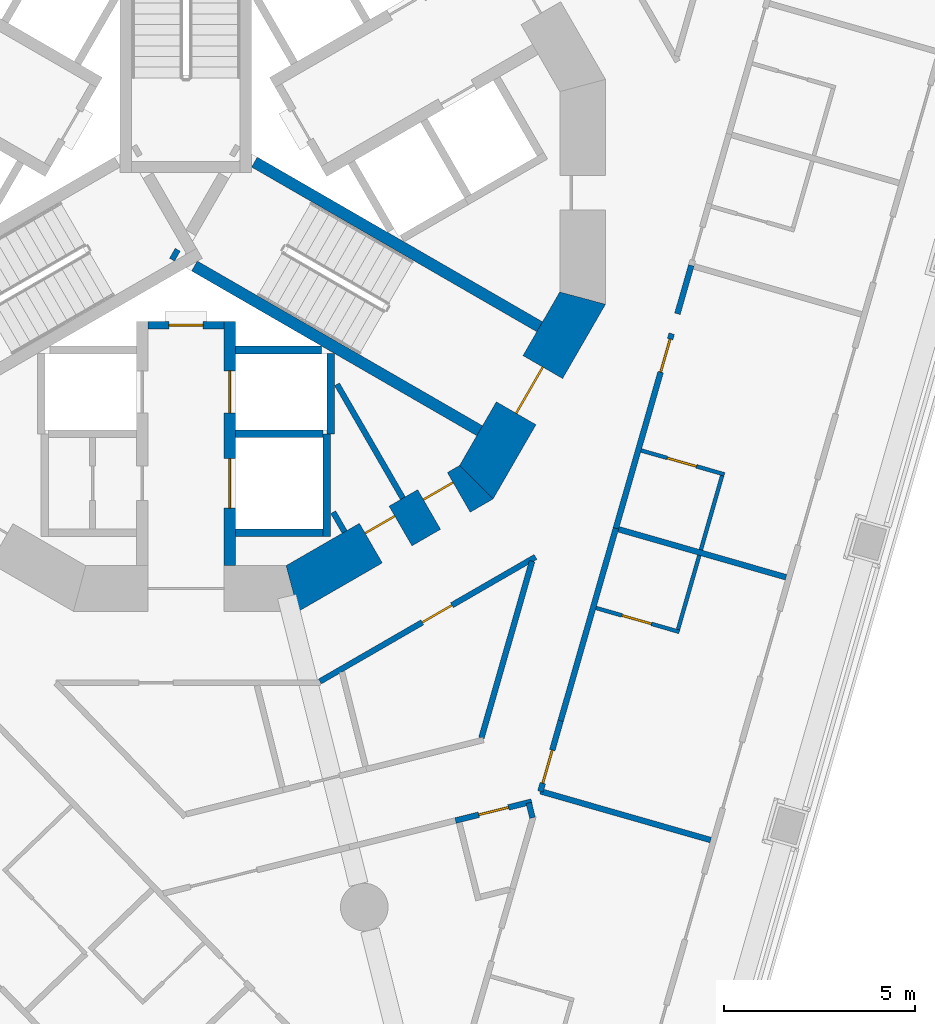
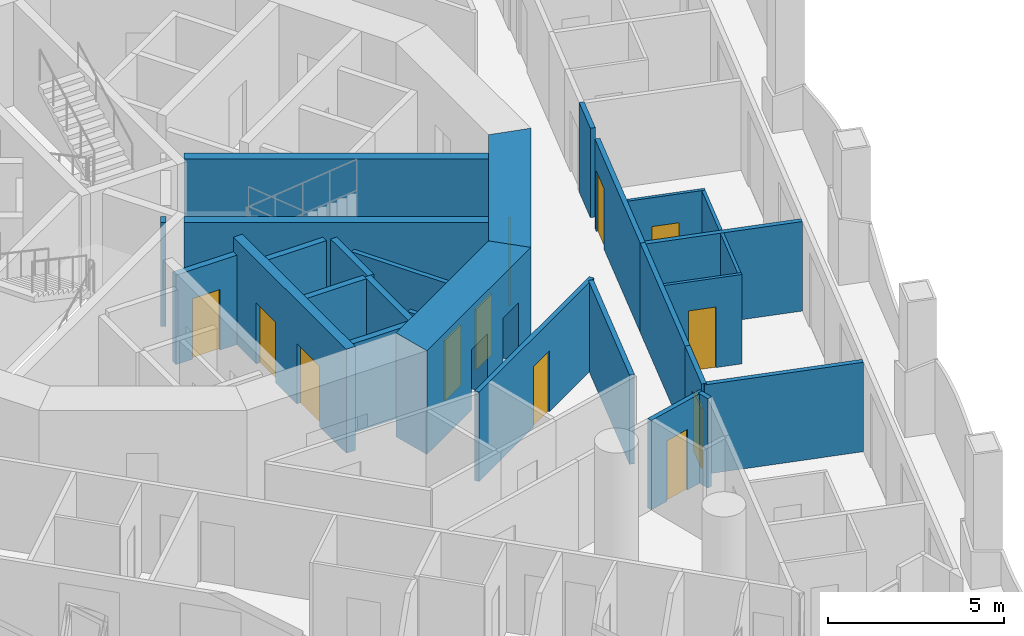
# One storey, part 5 of 20: 28 walls, 12 doors, 12 openings.
"""IFC4 building model written with IfcOpenShell, lengths in metres."""

from ifc_helpers import new_model, si_unit, direction, frame, frame_2d, origin, place, context, subcontext, project, spatial, polyline, rectangle, outline, extrude, material, layer, layer_set, type_object, element, fill, save


model = new_model("IFC4")

# Units and contexts
model_context = context("Model", 3, precision=1e-05, world=origin(), true_north=direction((0.0, 1.0)))
body_context = subcontext(model_context, "Body", "Model", "MODEL_VIEW")
ifc_project = project(units=[si_unit("LENGTHUNIT", "METRE"), si_unit("AREAUNIT", "SQUARE_METRE"), si_unit("VOLUMEUNIT", "CUBIC_METRE"), si_unit("PLANEANGLEUNIT", "RADIAN"), si_unit("MASSUNIT", "GRAM", prefix="KILO")], contexts=[model_context])

# Site, building, storey
site_placement = place(None, origin())
site = spatial("IfcSite", under=ifc_project, at=site_placement, CompositionType="ELEMENT")
building_placement = place(site_placement, origin())
building = spatial("IfcBuilding", under=site, at=building_placement, Name="Trine Commons Tower", CompositionType="ELEMENT")
storey_placement = place(building_placement, frame((0.0, 0.0, 116.10009765625)))
storey = spatial("IfcBuildingStorey", under=building, at=storey_placement, Name="L29", CompositionType="ELEMENT", Elevation=116.10009765625)

# Walls
ifc_material_1 = material(Name="Plasterboard partition on steel studs", Category="steel")
ifc_layer_1 = layer(ifc_material_1, 0.14990234375)
ifc_layer_set_1 = layer_set([ifc_layer_1], Name="Plasterboard partition on steel studs")
wall_type_1 = type_object("IfcWallType", Name="Core room partition 150 mm, EI 60", PredefinedType="PARTITIONING", material=ifc_layer_set_1)
wall_1_placement = place(storey_placement, frame((84.1640625, 53.574951171875, 0.0), z_axis=(0.0, 0.0, 1.0), x_axis=(-0.500665675203, 0.865640734759, 0.0)))
element("IfcWall", 1, at=wall_1_placement, inside=storey, type_object=wall_type_1, Name="Core room partition L29", PredefinedType="PARTITIONING", context=body_context, shape_type="SweptSolid", body=[
    extrude(rectangle(XDim=0.597412109375, YDim=0.14990234375, at=frame_2d((0.298828125, 0.0))), origin(), (0.0, 0.0, 1.0), 3.099853515625),
])
wall_2_placement = place(storey_placement, frame((85.693115234375, 54.4580078125, 0.0), z_axis=(0.0, 0.0, 1.0), x_axis=(-0.500258757272, 0.865875958653, 0.0)))
element("IfcWall", 2, at=wall_2_placement, inside=storey, type_object=wall_type_1, Name="Core room partition L29", PredefinedType="PARTITIONING", context=body_context, shape_type="SweptSolid", body=[
    extrude(rectangle(XDim=3.454345703125, YDim=0.14990234375, at=frame_2d((1.72705078125, 0.0))), origin(), (0.0, 0.0, 1.0), 3.099853515625),
])

# Wall, opening, door
ifc_material_2 = material(Name="Fire-rated gypsum shaft wall system")
ifc_layer_2 = layer(ifc_material_2, 0.199951171875)
ifc_layer_set_2 = layer_set([ifc_layer_2], Name="Fire-rated gypsum shaft wall system")
wall_type_2 = type_object("IfcWallType", Name="Lobby end wall 200 mm, EI 120", PredefinedType="PARTITIONING", material=ifc_layer_set_2)
wall_3_placement = place(storey_placement, frame((79.0, 59.0, 0.0), z_axis=(0.0, 0.0, 1.0), x_axis=(1.0, 0.0, 0.0)))
wall_3 = element("IfcWall", 3, at=wall_3_placement, inside=storey, type_object=wall_type_2, Name="Lobby end wall L29", PredefinedType="PARTITIONING", context=body_context, shape_type="SweptSolid", body=[
    extrude(rectangle(XDim=2.0, YDim=0.199951171875, at=frame_2d((1.0, 0.0))), origin(), (0.0, 0.0, 1.0), 3.099853515625),
])
opening_1_placement = place(wall_3_placement, frame((0.550048828125, 0.0, 0.0)))
opening_1 = element("IfcOpeningElement", 4, at=opening_1_placement, cuts=wall_3, Name="Opening K04.09", PredefinedType="OPENING", context=body_context, shape_type="SweptSolid", body=[
    extrude(rectangle(XDim=0.89990234375, YDim=2.10009765625, at=frame_2d((0.449951171875, 1.050048828125))), frame((0.0, 0.10986328125, 0.0), z_axis=(0.0, -1.0, 0.0), x_axis=(1.0, 0.0, 0.0)), (0.0, 0.0, 1.0), 0.219970703125),
])
ifc_material_3 = material(Name="Steel door leaf, fire-rated", Category="steel")
door_type_1 = type_object("IfcDoorType", Name="Riser access door, single leaf 900 x 2100, FD60", OperationType="SINGLE_SWING_LEFT", PredefinedType="DOOR", material=ifc_material_3)
door_1_placement = place(opening_1_placement, frame((0.89990234375, 0.0, 0.0), z_axis=(0.0, 0.0, 1.0), x_axis=(-1.0, 0.0, 0.0)))
door_1 = element("IfcDoor", 5, at=door_1_placement, inside=storey, type_object=door_type_1, Name="Riser door, Communications riser L29", OperationType="SINGLE_SWING_RIGHT", OverallHeight=2.10009765625, OverallWidth=0.89990234375, PredefinedType="DOOR", context=body_context, shape_type="SweptSolid", body=[
    extrude(rectangle(XDim=0.89990234375, YDim=2.10009765625, at=frame_2d((0.449951171875, 1.050048828125))), frame((0.0, 0.02490234375, 0.0), z_axis=(0.0, -1.0, 0.0), x_axis=(1.0, 0.0, 0.0)), (0.0, 0.0, 1.0), 0.050048828125),
])
fill(opening_1, door_1)

# Wall, openings, doors
ifc_material_4 = material(Name="Concrete C70/85", Category="concrete")
ifc_layer_3 = layer(ifc_material_4, 1.199951171875)
ifc_layer_set_3 = layer_set([ifc_layer_3], Name="Concrete C70/85")
wall_type_3 = type_object("IfcWallType", Name="RC shear wall 1200 mm, C70/85", PredefinedType="SHEAR", material=ifc_layer_set_3)
wall_4_placement = place(storey_placement, frame((82.650390625, 52.008056640625, 0.0), z_axis=(0.0, 0.0, 1.0), x_axis=(0.866037463336, 0.499979111662, 0.0)))
wall_4 = element("IfcWall", 6, at=wall_4_placement, inside=storey, type_object=wall_type_3, Name="Core wall CWC-11 L29", PredefinedType="SHEAR", context=body_context, shape_type="SweptSolid", body=[
    extrude(outline(polyline([(0.0, -0.60009765625), (5.901123046875, -0.60009765625), (5.57958984375, 0.60009765625), (0.321533203125, 0.60009765625), (0.0, -0.60009765625)])), origin(), (0.0, 0.0, 1.0), 3.599853515625),
])
opening_2_placement = place(wall_4_placement, frame((2.543701171875, 0.0, 0.0)))
opening_2 = element("IfcOpeningElement", 7, at=opening_2_placement, cuts=wall_4, Name="Opening K04.16", PredefinedType="OPENING", context=body_context, shape_type="SweptSolid", body=[
    extrude(rectangle(XDim=0.89990234375, YDim=2.10009765625, at=frame_2d((0.449951171875, 1.050048828125))), frame((0.0, 0.60986328125, 0.0), z_axis=(0.0, -1.0, 0.0), x_axis=(1.0, 0.0, 0.0)), (0.0, 0.0, 1.0), 1.219970703125),
])
opening_3_placement = place(wall_4_placement, frame((4.308837890625, 0.0, 0.0)))
opening_3 = element("IfcOpeningElement", 8, at=opening_3_placement, cuts=wall_4, Name="Opening K04.17", PredefinedType="OPENING", context=body_context, shape_type="SweptSolid", body=[
    extrude(rectangle(XDim=0.89990234375, YDim=2.10009765625, at=frame_2d((0.449951171875, 1.050048828125))), frame((0.0, 0.60986328125, 0.0), z_axis=(0.0, -1.0, 0.0), x_axis=(1.0, 0.0, 0.0)), (0.0, 0.0, 1.0), 1.219970703125),
])
door_type_2 = type_object("IfcDoorType", Name="Core room door, single leaf 900 x 2100, FD30S", OperationType="SINGLE_SWING_LEFT", PredefinedType="DOOR", material=ifc_material_3)
door_2_placement = place(opening_2_placement, origin())
door_2 = element("IfcDoor", 9, at=door_2_placement, inside=storey, type_object=door_type_2, Name="Door to Linen store L29", OperationType="SINGLE_SWING_RIGHT", OverallHeight=2.10009765625, OverallWidth=0.89990234375, PredefinedType="DOOR", context=body_context, shape_type="SweptSolid", body=[
    extrude(rectangle(XDim=0.89990234375, YDim=2.10009765625, at=frame_2d((0.449951171875, 1.050048828125))), frame((0.0, 0.3251953125, 0.0), z_axis=(0.0, -1.0, 0.0), x_axis=(1.0, 0.0, 0.0)), (0.0, 0.0, 1.0), 0.050048828125),
])
fill(opening_2, door_2)
door_3_placement = place(opening_3_placement, origin())
door_3 = element("IfcDoor", 10, at=door_3_placement, inside=storey, type_object=door_type_2, Name="Door to Pantry L29", OperationType="SINGLE_SWING_RIGHT", OverallHeight=2.10009765625, OverallWidth=0.89990234375, PredefinedType="DOOR", context=body_context, shape_type="SweptSolid", body=[
    extrude(rectangle(XDim=0.89990234375, YDim=2.10009765625, at=frame_2d((0.449951171875, 1.050048828125))), frame((0.0, 0.3251953125, 0.0), z_axis=(0.0, -1.0, 0.0), x_axis=(1.0, 0.0, 0.0)), (0.0, 0.0, 1.0), 0.050048828125),
])
fill(opening_3, door_3)

# Wall, opening, door
wall_5_placement = place(storey_placement, frame((87.54150390625, 54.739013671875, 0.0), z_axis=(0.0, 0.0, 1.0), x_axis=(0.499979111662, 0.866037463336, 0.0)))
wall_5 = element("IfcWall", 11, at=wall_5_placement, inside=storey, type_object=wall_type_3, Name="Core wall CWC-12 L29", PredefinedType="SHEAR", context=body_context, shape_type="SweptSolid", body=[
    extrude(outline(polyline([(0.0, -0.60009765625), (5.901123046875, -0.60009765625), (5.57958984375, 0.60009765625), (0.321533203125, 0.60009765625), (0.0, -0.60009765625)])), origin(), (0.0, 0.0, 1.0), 3.599853515625),
])
opening_4_placement = place(wall_5_placement, frame((2.25048828125, 0.0, 0.0)))
opening_4 = element("IfcOpeningElement", 12, at=opening_4_placement, cuts=wall_5, Name="Opening K04.03", PredefinedType="OPENING", context=body_context, shape_type="SweptSolid", body=[
    extrude(rectangle(XDim=1.39990234375, YDim=2.10009765625, at=frame_2d((0.699951171875, 1.050048828125))), frame((0.0, 0.60986328125, 0.0), z_axis=(0.0, -1.0, 0.0), x_axis=(1.0, 0.0, 0.0)), (0.0, 0.0, 1.0), 1.219970703125),
])
ifc_material_5 = material(Name="Steel door leaves, fire-rated", Category="steel")
door_type_3 = type_object("IfcDoorType", Name="Stair door, double leaf 1400 x 2100, FD90", OperationType="DOUBLE_DOOR_SINGLE_SWING", PredefinedType="DOOR", material=ifc_material_5)
door_4_placement = place(opening_4_placement, origin())
door_4 = element("IfcDoor", 13, at=door_4_placement, inside=storey, type_object=door_type_3, Name="Stair door to Exit stair ST3A L29", OperationType="DOUBLE_DOOR_SINGLE_SWING", OverallHeight=2.10009765625, OverallWidth=1.39990234375, PredefinedType="DOOR", context=body_context, shape_type="SweptSolid", body=[
    extrude(rectangle(XDim=1.39990234375, YDim=2.10009765625, at=frame_2d((0.699951171875, 1.050048828125))), frame((0.0, 0.02490234375, 0.0), z_axis=(0.0, -1.0, 0.0), x_axis=(1.0, 0.0, 0.0)), (0.0, 0.0, 1.0), 0.050048828125),
])
fill(opening_4, door_4)

# Wall, openings, doors
ifc_layer_4 = layer(ifc_material_4, 0.300048828125)
ifc_layer_set_4 = layer_set([ifc_layer_4], Name="Concrete C70/85")
wall_type_4 = type_object("IfcWallType", Name="RC shear wall 300 mm, C70/85", PredefinedType="SHEAR", material=ifc_layer_set_4)
wall_6_placement = place(storey_placement, frame((81.14990234375, 59.10009765625, 0.0), z_axis=(0.0, 0.0, 1.0), x_axis=(0.0, -1.0, 0.0)))
wall_6 = element("IfcWall", 14, at=wall_6_placement, inside=storey, type_object=wall_type_4, Name="Core cross wall SWA-04 L29", PredefinedType="SHEAR", context=body_context, shape_type="SweptSolid", body=[
    extrude(rectangle(XDim=6.412109375, YDim=0.300048828125, at=frame_2d((3.2060546875, 0.0))), origin(), (0.0, 0.0, 1.0), 3.599853515625),
])
opening_5_placement = place(wall_6_placement, frame((3.60009765625, 0.0, 0.0)))
opening_5 = element("IfcOpeningElement", 15, at=opening_5_placement, cuts=wall_6, Name="Opening LD11", PredefinedType="OPENING", context=body_context, shape_type="SweptSolid", body=[
    extrude(rectangle(XDim=1.300048828125, YDim=2.10009765625, at=frame_2d((0.64990234375, 1.050048828125))), frame((0.0, 0.159912109375, 0.0), z_axis=(0.0, -1.0, 0.0), x_axis=(1.0, 0.0, 0.0)), (0.0, 0.0, 1.0), 0.320068359375),
])
opening_6_placement = place(wall_6_placement, frame((1.300048828125, 0.0, 0.0)))
opening_6 = element("IfcOpeningElement", 16, at=opening_6_placement, cuts=wall_6, Name="Opening LD9", PredefinedType="OPENING", context=body_context, shape_type="SweptSolid", body=[
    extrude(rectangle(XDim=1.10009765625, YDim=2.10009765625, at=frame_2d((0.550048828125, 1.050048828125))), frame((0.0, 0.159912109375, 0.0), z_axis=(0.0, -1.0, 0.0), x_axis=(1.0, 0.0, 0.0)), (0.0, 0.0, 1.0), 0.320068359375),
])
ifc_material_6 = material(Name="Stainless steel sliding door leaves", Category="steel")
door_type_4 = type_object("IfcDoorType", Name="Lift landing door, centre-opening sliding 1100 x 2100, FD90", OperationType="DOUBLE_DOOR_SLIDING", PredefinedType="DOOR", material=ifc_material_6)
door_5_placement = place(opening_6_placement, origin())
door_5 = element("IfcDoor", 17, at=door_5_placement, inside=storey, type_object=door_type_4, Name="Lift landing door FF1 L29", OperationType="DOUBLE_DOOR_SLIDING", OverallHeight=2.10009765625, OverallWidth=1.10009765625, PredefinedType="DOOR", context=body_context, shape_type="SweptSolid", body=[
    extrude(rectangle(XDim=1.10009765625, YDim=2.10009765625, at=frame_2d((0.550048828125, 1.050048828125))), frame((0.0, 0.02490234375, 0.0), z_axis=(0.0, -1.0, 0.0), x_axis=(1.0, 0.0, 0.0)), (0.0, 0.0, 1.0), 0.050048828125),
])
fill(opening_6, door_5)
door_type_5 = type_object("IfcDoorType", Name="Lift landing door, centre-opening sliding 1300 x 2100, FD90", OperationType="DOUBLE_DOOR_SLIDING", PredefinedType="DOOR", material=ifc_material_6)
door_6_placement = place(opening_5_placement, origin())
door_6 = element("IfcDoor", 18, at=door_6_placement, inside=storey, type_object=door_type_5, Name="Lift landing door G1 L29", OperationType="DOUBLE_DOOR_SLIDING", OverallHeight=2.10009765625, OverallWidth=1.300048828125, PredefinedType="DOOR", context=body_context, shape_type="SweptSolid", body=[
    extrude(rectangle(XDim=1.300048828125, YDim=2.10009765625, at=frame_2d((0.64990234375, 1.050048828125))), frame((0.0, 0.02490234375, 0.0), z_axis=(0.0, -1.0, 0.0), x_axis=(1.0, 0.0, 0.0)), (0.0, 0.0, 1.0), 0.050048828125),
])
fill(opening_5, door_6)

# Walls
wall_7_placement = place(storey_placement, frame((79.64599609375, 60.885986328125, 0.0), z_axis=(0.0, 0.0, 1.0), x_axis=(0.867331893649, -0.497730234424, 0.0)))
element("IfcWall", 19, at=wall_7_placement, inside=storey, type_object=wall_type_4, Name="Core cross wall SWA-11 L29", PredefinedType="SHEAR", context=body_context, shape_type="SweptSolid", body=[
    extrude(rectangle(XDim=0.148681640625, YDim=0.300048828125, at=frame_2d((0.07421875, 0.0))), origin(), (0.0, 0.0, 1.0), 3.599853515625),
])
for number, where, z_axis, x_axis, name in (
    (20, (80.22509765625, 60.552001953125, 0.0), (0.0, 0.0, 1.0), (0.865965399159, -0.500103916661, 0.0), "Core cross wall SWA-13 L29"),
    (21, (81.800048828125, 63.280029296875, 0.0), (0.0, 0.0, 1.0), (0.865965399159, -0.500103916661, 0.0), "Core cross wall SWA-18 L29"),
):
    element("IfcWall", number, at=place(storey_placement, frame(where, z_axis=z_axis, x_axis=x_axis)), inside=storey, type_object=wall_type_4, Name=name, PredefinedType="SHEAR", context=body_context, shape_type="SweptSolid", body=[
        extrude(rectangle(XDim=8.642333984375, YDim=0.300048828125, at=frame_2d((4.3212890625, 0.0))), origin(), (0.0, 0.0, 1.0), 3.599853515625),
    ])
ifc_layer_5 = layer(ifc_material_2, 0.199951171875)
ifc_layer_set_5 = layer_set([ifc_layer_5], Name="Fire-rated gypsum shaft wall system")
wall_type_5 = type_object("IfcWallType", Name="Shaft wall 200 mm, EI 120", PredefinedType="PARTITIONING", material=ifc_layer_set_5)
for number, where, z_axis, x_axis, name in (
    (22, (81.300048828125, 53.550048828125, 0.0), (0.0, 0.0, 1.0), (1.0, 0.0, 0.0), "Shaft wall L29"),
    (23, (81.300048828125, 56.14990234375, 0.0), (0.0, 0.0, 1.0), (1.0, 0.0, 0.0), "Shaft wall L29"),
):
    element("IfcWall", number, at=place(storey_placement, frame(where, z_axis=z_axis, x_axis=x_axis)), inside=storey, type_object=wall_type_5, Name=name, PredefinedType="PARTITIONING", context=body_context, shape_type="SweptSolid", body=[
        extrude(rectangle(XDim=2.300048828125, YDim=0.199951171875, at=frame_2d((1.14990234375, 0.0))), origin(), (0.0, 0.0, 1.0), 3.099853515625),
    ])
wall_8_placement = place(storey_placement, frame((81.300048828125, 58.35009765625, 0.0), z_axis=(0.0, 0.0, 1.0), x_axis=(1.0, 0.0, 0.0)))
element("IfcWall", 24, at=wall_8_placement, inside=storey, type_object=wall_type_5, Name="Shaft wall L29", PredefinedType="PARTITIONING", context=body_context, shape_type="SweptSolid", body=[
    extrude(rectangle(XDim=2.264892578125, YDim=0.199951171875, at=frame_2d((1.13232421875, 0.0))), origin(), (0.0, 0.0, 1.0), 3.099853515625),
])
wall_9_placement = place(storey_placement, frame((83.699951171875, 56.14990234375, 0.0), z_axis=(0.0, 0.0, 1.0), x_axis=(0.0, -1.0, 0.0)))
element("IfcWall", 25, at=wall_9_placement, inside=storey, type_object=wall_type_5, Name="Shaft wall L29", PredefinedType="PARTITIONING", context=body_context, shape_type="SweptSolid", body=[
    extrude(rectangle(XDim=2.699951171875, YDim=0.199951171875, at=frame_2d((1.35009765625, 0.0))), origin(), (0.0, 0.0, 1.0), 3.099853515625),
])
wall_10_placement = place(storey_placement, frame((83.800048828125, 58.256103515625, 0.0), z_axis=(0.0, 0.0, 1.0), x_axis=(0.0, -1.0, 0.0)))
element("IfcWall", 26, at=wall_10_placement, inside=storey, type_object=wall_type_5, Name="Shaft wall L29", PredefinedType="PARTITIONING", context=body_context, shape_type="SweptSolid", body=[
    extrude(rectangle(XDim=2.106201171875, YDim=0.199951171875, at=frame_2d((1.05322265625, 0.0))), origin(), (0.0, 0.0, 1.0), 3.099853515625),
])

# Wall, opening, door
ifc_material_7 = material(Name="Gypsum plasterboard on steel stud", Category="steel")
ifc_layer_6 = layer(ifc_material_7, 0.14990234375)
ifc_layer_set_6 = layer_set([ifc_layer_6], Name="Gypsum plasterboard on steel stud")
wall_type_6 = type_object("IfcWallType", Name="Unit and corridor wall 150 mm, EI 60", PredefinedType="PARTITIONING", material=ifc_layer_set_6)
wall_11_placement = place(storey_placement, frame((83.51806640625, 49.650390625, 0.0), z_axis=(0.0, 0.0, 1.0), x_axis=(0.866021893259, 0.50000608036, 0.0)))
wall_11 = element("IfcWall", 27, at=wall_11_placement, inside=storey, type_object=wall_type_6, Name="Partition 081", PredefinedType="PARTITIONING", context=body_context, shape_type="SweptSolid", body=[
    extrude(rectangle(XDim=6.5322265625, YDim=0.14990234375, at=frame_2d((3.26611328125, 0.0))), origin(), (0.0, 0.0, 1.0), 3.099853515625),
])
opening_7_placement = place(wall_11_placement, frame((3.09912109375, 0.0, 0.0)))
opening_7 = element("IfcOpeningElement", 28, at=opening_7_placement, cuts=wall_11, Name="Opening D-3C36", PredefinedType="OPENING", context=body_context, shape_type="SweptSolid", body=[
    extrude(rectangle(XDim=0.89990234375, YDim=2.10009765625, at=frame_2d((0.449951171875, 1.050048828125))), frame((0.0, 0.0849609375, 0.0), z_axis=(0.0, -1.0, 0.0), x_axis=(1.0, 0.0, 0.0)), (0.0, 0.0, 1.0), 0.169921875),
])
ifc_material_8 = material(Name="Timber fire door set", Category="wood")
door_type_6 = type_object("IfcDoorType", Name="Service door 900 x 2100, FD30S", OperationType="NOTDEFINED", PredefinedType="DOOR", material=ifc_material_8)
door_7_placement = place(opening_7_placement, frame((0.89990234375, 0.0, 0.0), z_axis=(0.0, 0.0, 1.0), x_axis=(-1.0, 0.0, 0.0)))
door_7 = element("IfcDoor", 29, at=door_7_placement, inside=storey, type_object=door_type_6, Name="Door D-3C36", OperationType="SINGLE_SWING_LEFT", OverallHeight=2.10009765625, OverallWidth=0.89990234375, PredefinedType="DOOR", context=body_context, shape_type="SweptSolid", body=[
    extrude(rectangle(XDim=0.89990234375, YDim=2.10009765625, at=frame_2d((0.449951171875, 1.050048828125))), frame((0.0, 0.02490234375, 0.0), z_axis=(0.0, -1.0, 0.0), x_axis=(1.0, 0.0, 0.0)), (0.0, 0.0, 1.0), 0.050048828125),
])
fill(opening_7, door_7)

wall_12_placement = place(storey_placement, frame((87.076171875, 45.998779296875, 0.0), z_axis=(0.0, 0.0, 1.0), x_axis=(0.970351527821, 0.241697977766, 0.0)))
wall_12 = element("IfcWall", 30, at=wall_12_placement, inside=storey, type_object=wall_type_6, Name="Partition 098", PredefinedType="PARTITIONING", context=body_context, shape_type="SweptSolid", body=[
    extrude(rectangle(XDim=2.0576171875, YDim=0.14990234375, at=frame_2d((1.02880859375, 0.0))), origin(), (0.0, 0.0, 1.0), 3.099853515625),
])
opening_8_placement = place(wall_12_placement, frame((0.62890625, 0.0, 0.0)))
opening_8 = element("IfcOpeningElement", 31, at=opening_8_placement, cuts=wall_12, Name="Opening D-3C05", PredefinedType="OPENING", context=body_context, shape_type="SweptSolid", body=[
    extrude(rectangle(XDim=0.800048828125, YDim=2.10009765625, at=frame_2d((0.39990234375, 1.050048828125))), frame((0.0, 0.0849609375, 0.0), z_axis=(0.0, -1.0, 0.0), x_axis=(1.0, 0.0, 0.0)), (0.0, 0.0, 1.0), 0.169921875),
])
ifc_material_9 = material(Name="Painted timber", Category="wood")
door_type_7 = type_object("IfcDoorType", Name="Toilet door 800 x 2100, NOT RATED", OperationType="NOTDEFINED", PredefinedType="DOOR", material=ifc_material_9)
door_8_placement = place(opening_8_placement, frame((0.800048828125, 0.0, 0.0), z_axis=(0.0, 0.0, 1.0), x_axis=(-1.0, 0.0, 0.0)))
door_8 = element("IfcDoor", 32, at=door_8_placement, inside=storey, type_object=door_type_7, Name="Door D-3C05", OperationType="SINGLE_SWING_LEFT", OverallHeight=2.10009765625, OverallWidth=0.800048828125, PredefinedType="DOOR", context=body_context, shape_type="SweptSolid", body=[
    extrude(rectangle(XDim=0.800048828125, YDim=2.10009765625, at=frame_2d((0.39990234375, 1.050048828125))), frame((0.0, 0.02490234375, 0.0), z_axis=(0.0, -1.0, 0.0), x_axis=(1.0, 0.0, 0.0)), (0.0, 0.0, 1.0), 0.050048828125),
])
fill(opening_8, door_8)

# Walls
wall_13_placement = place(storey_placement, frame((87.755615234375, 48.168212890625, 0.0), z_axis=(0.0, 0.0, 1.0), x_axis=(0.275589878427, 0.961275308592, 0.0)))
element("IfcWall", 33, at=wall_13_placement, inside=storey, type_object=wall_type_6, Name="Partition 102", PredefinedType="PARTITIONING", context=body_context, shape_type="SweptSolid", body=[
    extrude(rectangle(XDim=4.824462890625, YDim=0.14990234375, at=frame_2d((2.412109375, 0.0))), origin(), (0.0, 0.0, 1.0), 3.099853515625),
])
wall_14_placement = place(storey_placement, frame((89.0, 46.461669921875, 0.0), z_axis=(0.0, 0.0, 1.0), x_axis=(0.242248462582, -0.970214245606, 0.0)))
element("IfcWall", 34, at=wall_14_placement, inside=storey, type_object=wall_type_6, Name="Partition 108", PredefinedType="PARTITIONING", context=body_context, shape_type="SweptSolid", body=[
    extrude(rectangle(XDim=0.400146484375, YDim=0.14990234375, at=frame_2d((0.2001953125, 0.0))), origin(), (0.0, 0.0, 1.0), 3.099853515625),
])

# Wall, opening, door
wall_15_placement = place(storey_placement, frame((89.303955078125, 46.762939453125, 0.0), z_axis=(0.0, 0.0, 1.0), x_axis=(0.275539388994, 0.96128978207, 0.0)))
wall_15 = element("IfcWall", 35, at=wall_15_placement, inside=storey, type_object=wall_type_6, Name="Partition 110", PredefinedType="PARTITIONING", context=body_context, shape_type="SweptSolid", body=[
    extrude(rectangle(XDim=1.9306640625, YDim=0.14990234375, at=frame_2d((0.96533203125, 0.0))), origin(), (0.0, 0.0, 1.0), 3.099853515625),
])
opening_9_placement = place(wall_15_placement, frame((0.226806640625, 0.0, 0.0)))
opening_9 = element("IfcOpeningElement", 36, at=opening_9_placement, cuts=wall_15, Name="Opening D-3C22", PredefinedType="OPENING", context=body_context, shape_type="SweptSolid", body=[
    extrude(rectangle(XDim=0.89990234375, YDim=2.10009765625, at=frame_2d((0.449951171875, 1.050048828125))), frame((0.0, 0.0849609375, 0.0), z_axis=(0.0, -1.0, 0.0), x_axis=(1.0, 0.0, 0.0)), (0.0, 0.0, 1.0), 0.169921875),
])
door_type_8 = type_object("IfcDoorType", Name="Bedroom door 900 x 2100, FD30S", OperationType="NOTDEFINED", PredefinedType="DOOR", material=ifc_material_8)
door_9_placement = place(opening_9_placement, frame((0.89990234375, 0.0, 0.0), z_axis=(0.0, 0.0, 1.0), x_axis=(-1.0, 0.0, 0.0)))
door_9 = element("IfcDoor", 37, at=door_9_placement, inside=storey, type_object=door_type_8, Name="Door D-3C22", OperationType="SINGLE_SWING_RIGHT", OverallHeight=2.10009765625, OverallWidth=0.89990234375, PredefinedType="DOOR", context=body_context, shape_type="SweptSolid", body=[
    extrude(rectangle(XDim=0.89990234375, YDim=2.10009765625, at=frame_2d((0.449951171875, 1.050048828125))), frame((0.0, 0.02490234375, 0.0), z_axis=(0.0, -1.0, 0.0), x_axis=(1.0, 0.0, 0.0)), (0.0, 0.0, 1.0), 0.050048828125),
])
fill(opening_9, door_9)

# Walls
wall_16_placement = place(storey_placement, frame((89.304931640625, 46.76708984375, 0.0), z_axis=(0.0, 0.0, 1.0), x_axis=(0.961263836782, -0.275629889699, 0.0)))
element("IfcWall", 38, at=wall_16_placement, inside=storey, type_object=wall_type_6, Name="Partition 111", PredefinedType="PARTITIONING", context=body_context, shape_type="SweptSolid", body=[
    extrude(rectangle(XDim=4.6474609375, YDim=0.14990234375, at=frame_2d((2.32373046875, 0.0))), origin(), (0.0, 0.0, 1.0), 3.099853515625),
])
wall_17_placement = place(storey_placement, frame((89.8359375, 48.618896484375, 0.0), z_axis=(0.0, 0.0, 1.0), x_axis=(0.275623258098, 0.961265738282, 0.0)))
element("IfcWall", 39, at=wall_17_placement, inside=storey, type_object=wall_type_6, Name="Partition 117", PredefinedType="PARTITIONING", context=body_context, shape_type="SweptSolid", body=[
    extrude(rectangle(XDim=5.253662109375, YDim=0.14990234375, at=frame_2d((2.626953125, 0.0))), origin(), (0.0, 0.0, 1.0), 3.099853515625),
])

# Wall, opening, door
wall_18_placement = place(storey_placement, frame((91.26123046875, 53.5888671875, 0.0), z_axis=(0.0, 0.0, 1.0), x_axis=(0.275652979744, 0.961257215712, 0.0)))
wall_18 = element("IfcWall", 40, at=wall_18_placement, inside=storey, type_object=wall_type_6, Name="Partition 121", PredefinedType="PARTITIONING", context=body_context, shape_type="SweptSolid", body=[
    extrude(rectangle(XDim=5.3974609375, YDim=0.14990234375, at=frame_2d((2.69873046875, 0.0))), origin(), (0.0, 0.0, 1.0), 3.099853515625),
])
opening_10_placement = place(wall_18_placement, frame((4.34716796875, 0.0, 0.0)))
opening_10 = element("IfcOpeningElement", 41, at=opening_10_placement, cuts=wall_18, Name="Opening D-3C21", PredefinedType="OPENING", context=body_context, shape_type="SweptSolid", body=[
    extrude(rectangle(XDim=0.89990234375, YDim=2.10009765625, at=frame_2d((0.449951171875, 1.050048828125))), frame((0.0, 0.0849609375, 0.0), z_axis=(0.0, -1.0, 0.0), x_axis=(1.0, 0.0, 0.0)), (0.0, 0.0, 1.0), 0.169921875),
])
door_10_placement = place(opening_10_placement, frame((0.89990234375, 0.0, 0.0), z_axis=(0.0, 0.0, 1.0), x_axis=(-1.0, 0.0, 0.0)))
door_10 = element("IfcDoor", 42, at=door_10_placement, inside=storey, type_object=door_type_8, Name="Door D-3C21", OperationType="SINGLE_SWING_LEFT", OverallHeight=2.10009765625, OverallWidth=0.89990234375, PredefinedType="DOOR", context=body_context, shape_type="SweptSolid", body=[
    extrude(rectangle(XDim=0.89990234375, YDim=2.10009765625, at=frame_2d((0.449951171875, 1.050048828125))), frame((0.0, 0.02490234375, 0.0), z_axis=(0.0, -1.0, 0.0), x_axis=(1.0, 0.0, 0.0)), (0.0, 0.0, 1.0), 0.050048828125),
])
fill(opening_10, door_10)

# Walls
wall_19_placement = place(storey_placement, frame((91.35498046875, 53.644287109375, 0.0), z_axis=(0.0, 0.0, 1.0), x_axis=(0.961269673231, -0.275609534171, 0.0)))
element("IfcWall", 43, at=wall_19_placement, inside=storey, type_object=wall_type_6, Name="Partition 122", PredefinedType="PARTITIONING", context=body_context, shape_type="SweptSolid", body=[
    extrude(rectangle(XDim=4.572509765625, YDim=0.14990234375, at=frame_2d((2.2861328125, 0.0))), origin(), (0.0, 0.0, 1.0), 3.099853515625),
])
wall_20_placement = place(storey_placement, frame((92.89892578125, 59.299072265625, 0.0), z_axis=(0.0, 0.0, 1.0), x_axis=(0.275722362281, 0.961237316659, 0.0)))
element("IfcWall", 44, at=wall_20_placement, inside=storey, type_object=wall_type_6, Name="Partition 128", PredefinedType="PARTITIONING", context=body_context, shape_type="SweptSolid", body=[
    extrude(rectangle(XDim=1.3203125, YDim=0.14990234375, at=frame_2d((0.66015625, 0.0))), origin(), (0.0, 0.0, 1.0), 3.099853515625),
])

# Wall, opening, door
ifc_layer_7 = layer(ifc_material_7, 0.10009765625)
ifc_layer_set_7 = layer_set([ifc_layer_7], Name="Gypsum plasterboard on steel stud")
wall_type_7 = type_object("IfcWallType", Name="Unit partition 100 mm, no rating", PredefinedType="PARTITIONING", material=ifc_layer_set_7)
wall_21_placement = place(storey_placement, frame((90.76220703125, 51.578369140625, 0.0), z_axis=(0.0, 0.0, 1.0), x_axis=(0.961252175385, -0.275670555767, 0.0)))
wall_21 = element("IfcWall", 45, at=wall_21_placement, inside=storey, type_object=wall_type_7, Name="Partition 119", PredefinedType="PARTITIONING", context=body_context, shape_type="SweptSolid", body=[
    extrude(rectangle(XDim=2.275146484375, YDim=0.10009765625, at=frame_2d((1.1376953125, 0.0))), origin(), (0.0, 0.0, 1.0), 3.099853515625),
])
opening_11_placement = place(wall_21_placement, frame((0.71240234375, 0.0, 0.0)))
opening_11 = element("IfcOpeningElement", 46, at=opening_11_placement, cuts=wall_21, Name="Opening D-3C57", PredefinedType="OPENING", context=body_context, shape_type="SweptSolid", body=[
    extrude(rectangle(XDim=0.800048828125, YDim=2.10009765625, at=frame_2d((0.39990234375, 1.050048828125))), frame((0.0, 0.06005859375, 0.0), z_axis=(0.0, -1.0, 0.0), x_axis=(1.0, 0.0, 0.0)), (0.0, 0.0, 1.0), 0.1201171875),
])
door_type_9 = type_object("IfcDoorType", Name="Internal door 800 x 2100, NOT RATED", OperationType="NOTDEFINED", PredefinedType="DOOR", material=ifc_material_9)
door_11_placement = place(opening_11_placement, frame((0.800048828125, 0.0, 0.0), z_axis=(0.0, 0.0, 1.0), x_axis=(-1.0, 0.0, 0.0)))
door_11 = element("IfcDoor", 47, at=door_11_placement, inside=storey, type_object=door_type_9, Name="Door D-3C57", OperationType="SINGLE_SWING_RIGHT", OverallHeight=2.10009765625, OverallWidth=0.800048828125, PredefinedType="DOOR", context=body_context, shape_type="SweptSolid", body=[
    extrude(rectangle(XDim=0.800048828125, YDim=2.10009765625, at=frame_2d((0.39990234375, 1.050048828125))), frame((0.0, 0.02490234375, 0.0), z_axis=(0.0, -1.0, 0.0), x_axis=(1.0, 0.0, 0.0)), (0.0, 0.0, 1.0), 0.050048828125),
])
fill(opening_11, door_11)

wall_22_placement = place(storey_placement, frame((91.947998046875, 55.711181640625, 0.0), z_axis=(0.0, 0.0, 1.0), x_axis=(0.961247989745, -0.27568515051, 0.0)))
wall_22 = element("IfcWall", 48, at=wall_22_placement, inside=storey, type_object=wall_type_7, Name="Partition 125", PredefinedType="PARTITIONING", context=body_context, shape_type="SweptSolid", body=[
    extrude(rectangle(XDim=2.274169921875, YDim=0.10009765625, at=frame_2d((1.13720703125, 0.0))), origin(), (0.0, 0.0, 1.0), 3.099853515625),
])
opening_12_placement = place(wall_22_placement, frame((0.7119140625, 0.0, 0.0)))
opening_12 = element("IfcOpeningElement", 49, at=opening_12_placement, cuts=wall_22, Name="Opening D-3C56", PredefinedType="OPENING", context=body_context, shape_type="SweptSolid", body=[
    extrude(rectangle(XDim=0.800048828125, YDim=2.10009765625, at=frame_2d((0.39990234375, 1.050048828125))), frame((0.0, 0.06005859375, 0.0), z_axis=(0.0, -1.0, 0.0), x_axis=(1.0, 0.0, 0.0)), (0.0, 0.0, 1.0), 0.1201171875),
])
door_12_placement = place(opening_12_placement, origin())
door_12 = element("IfcDoor", 50, at=door_12_placement, inside=storey, type_object=door_type_9, Name="Door D-3C56", OperationType="SINGLE_SWING_LEFT", OverallHeight=2.10009765625, OverallWidth=0.800048828125, PredefinedType="DOOR", context=body_context, shape_type="SweptSolid", body=[
    extrude(rectangle(XDim=0.800048828125, YDim=2.10009765625, at=frame_2d((0.39990234375, 1.050048828125))), frame((0.0, 0.02490234375, 0.0), z_axis=(0.0, -1.0, 0.0), x_axis=(1.0, 0.0, 0.0)), (0.0, 0.0, 1.0), 0.050048828125),
])
fill(opening_12, door_12)

# Walls
wall_23_placement = place(storey_placement, frame((92.914794921875, 51.01318359375, 0.0), z_axis=(0.0, 0.0, 1.0), x_axis=(0.275931455218, 0.961177315599, 0.0)))
element("IfcWall", 51, at=wall_23_placement, inside=storey, type_object=wall_type_7, Name="Partition 129", PredefinedType="PARTITIONING", context=body_context, shape_type="SweptSolid", body=[
    extrude(rectangle(XDim=2.0244140625, YDim=0.10009765625, at=frame_2d((1.01220703125, 0.0))), origin(), (0.0, 0.0, 1.0), 3.099853515625),
])
wall_24_placement = place(storey_placement, frame((93.5146484375, 53.10302734375, 0.0), z_axis=(0.0, 0.0, 1.0), x_axis=(0.275357985943, 0.96134176003, 0.0)))
element("IfcWall", 52, at=wall_24_placement, inside=storey, type_object=wall_type_7, Name="Partition 134", PredefinedType="PARTITIONING", context=body_context, shape_type="SweptSolid", body=[
    extrude(rectangle(XDim=2.025146484375, YDim=0.10009765625, at=frame_2d((1.0126953125, 0.0))), origin(), (0.0, 0.0, 1.0), 3.099853515625),
])

save(model, "model.ifc")
